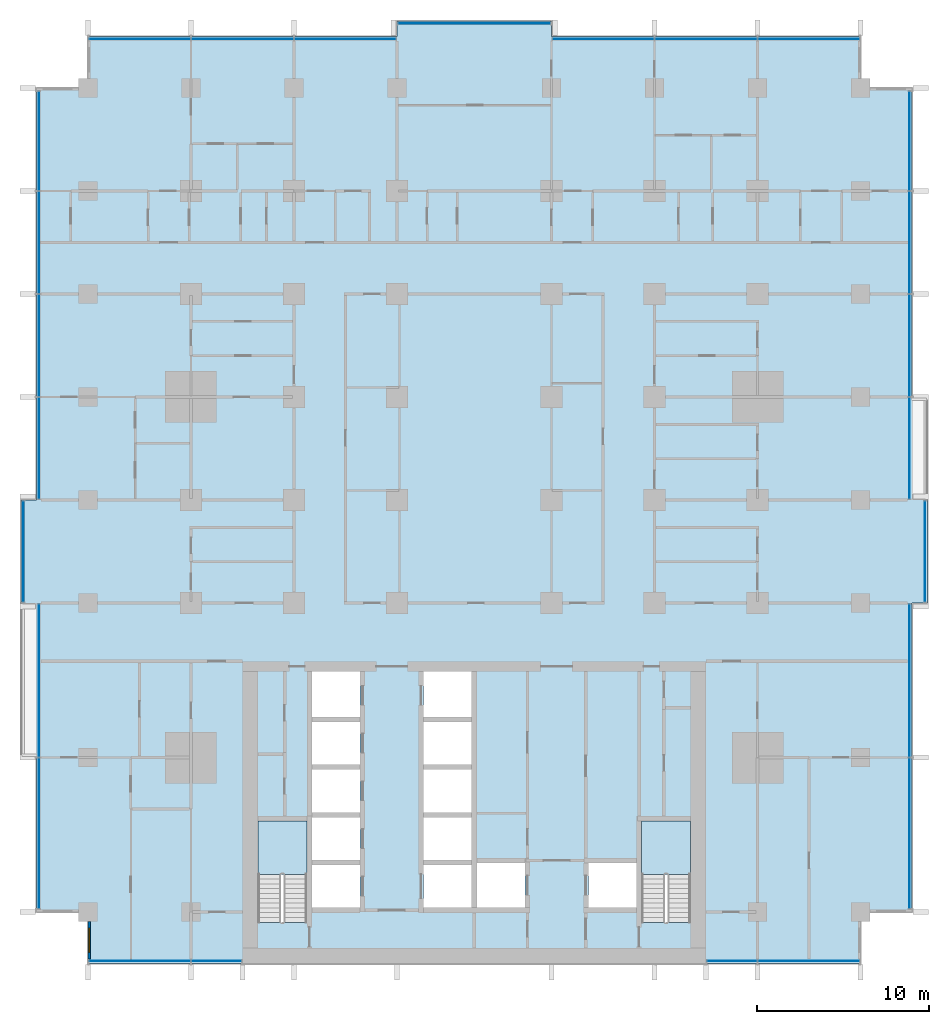
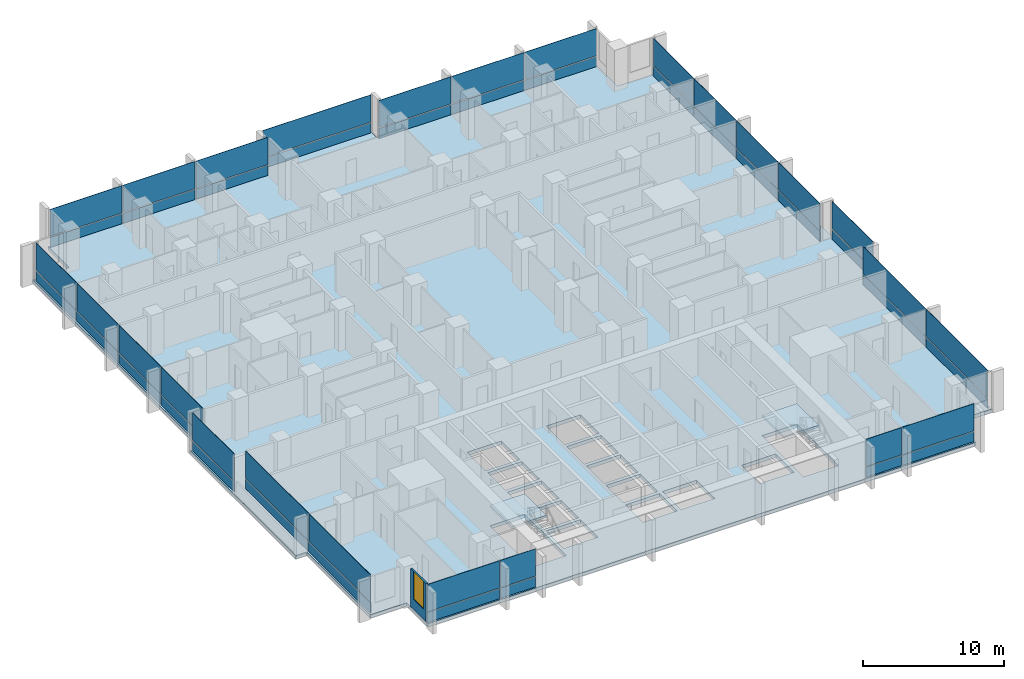
# One storey, part 6 of 18: 50 plates, 3 slabs, 1 wall, 1 window, 1 opening, 13 elements without a shape of their own.
"""IFC4 building model written with IfcOpenShell, lengths in metres."""

from ifc_helpers import new_model, si_unit, direction, frame, frame_2d, origin, origin_2d, place, context, subcontext, project, spatial, polyline, rectangle, outline, extrude, material, layer, layer_set, type_object, element, fill, aggregate, save


model = new_model("IFC4")

# Units and contexts
model_context = context("Model", 3, precision=1e-05, world=origin(), true_north=direction((0.0, 1.0)))
body_context = subcontext(model_context, "Body", "Model", "MODEL_VIEW")
ifc_project = project(units=[si_unit("LENGTHUNIT", "METRE"), si_unit("AREAUNIT", "SQUARE_METRE"), si_unit("VOLUMEUNIT", "CUBIC_METRE"), si_unit("PLANEANGLEUNIT", "RADIAN"), si_unit("MASSUNIT", "GRAM", prefix="KILO")], contexts=[model_context])

# Site, building, storey
site_placement = place(None, origin())
site = spatial("IfcSite", under=ifc_project, at=site_placement, CompositionType="ELEMENT")
building_placement = place(site_placement, origin())
building = spatial("IfcBuilding", under=site, at=building_placement, Name="Finial Court Residences", CompositionType="ELEMENT")
storey_placement = place(building_placement, frame((0.0, 0.0, 43.300048828125)))
storey = spatial("IfcBuildingStorey", under=building, at=storey_placement, Name="L09", CompositionType="ELEMENT", Elevation=43.300048828125)

# Curtain wall, plates
ifc_material_1 = material(Name="Bronze anodised aluminium", Category="aluminium")
curtain_wall_type = type_object("IfcCurtainWallType", Name="Unitised curtain wall, lower and middle zones", PredefinedType="NOTDEFINED", material=ifc_material_1)
curtain_wall_1_placement = place(storey_placement, origin())
curtain_wall_1 = element("IfcCurtainWall", 1, at=curtain_wall_1_placement, inside=storey, type_object=curtain_wall_type, Name="E-L09-CW-N1", PredefinedType="NOTDEFINED")
ifc_layer_1 = layer(ifc_material_1, 0.0400390625)
ifc_layer_set_1 = layer_set([ifc_layer_1], Name="CW1 spandrel panel 40")
plate_type_1 = type_object("IfcPlateType", Name="CW1 spandrel panel 40", PredefinedType="CURTAIN_PANEL", material=ifc_layer_set_1)
plate_1_placement = place(storey_placement, frame((-19.48388671875, 28.35009765625, 0.0), z_axis=(0.0, 0.0, 1.0), x_axis=(1.0, 0.0, 0.0)))
plate_1 = element("IfcPlate", 2, at=plate_1_placement, type_object=plate_type_1, Name="CW1 spandrel 1.1", PredefinedType="CURTAIN_PANEL", context=body_context, shape_type="SweptSolid", body=[
    extrude(rectangle(XDim=5.902587890625, YDim=0.0400390625, at=origin_2d()), origin(), (0.0, 0.0, 1.0), 0.867431640625),
])
plate_2_placement = place(storey_placement, frame((-13.5, 28.35009765625, 0.0), z_axis=(0.0, 0.0, 1.0), x_axis=(1.0, 0.0, 0.0)))
plate_2 = element("IfcPlate", 3, at=plate_2_placement, type_object=plate_type_1, Name="CW1 spandrel 2.1", PredefinedType="CURTAIN_PANEL", context=body_context, shape_type="SweptSolid", body=[
    extrude(rectangle(XDim=5.93505859375, YDim=0.0400390625, at=origin_2d()), origin(), (0.0, 0.0, 1.0), 0.867431640625),
])
plate_3_placement = place(storey_placement, frame((-7.51611328125, 28.35009765625, 0.0), z_axis=(0.0, 0.0, 1.0), x_axis=(1.0, 0.0, 0.0)))
plate_3 = element("IfcPlate", 4, at=plate_3_placement, type_object=plate_type_1, Name="CW1 spandrel 3.1", PredefinedType="CURTAIN_PANEL", context=body_context, shape_type="SweptSolid", body=[
    extrude(rectangle(XDim=5.902587890625, YDim=0.0400390625, at=origin_2d()), origin(), (0.0, 0.0, 1.0), 0.867431640625),
])

# Curtain wall, plate
curtain_wall_2_placement = place(storey_placement, origin())
curtain_wall_2 = element("IfcCurtainWall", 5, at=curtain_wall_2_placement, inside=storey, type_object=curtain_wall_type, Name="E-L09-CW-N2", PredefinedType="NOTDEFINED")
plate_4_placement = place(storey_placement, frame((0.0, 29.25, 0.0), z_axis=(0.0, 0.0, 1.0), x_axis=(1.0, 0.0, 0.0)))
plate_4 = element("IfcPlate", 6, at=plate_4_placement, type_object=plate_type_1, Name="CW1 spandrel 1.1", PredefinedType="CURTAIN_PANEL", context=body_context, shape_type="SweptSolid", body=[
    extrude(rectangle(XDim=8.8701171875, YDim=0.0400390625, at=origin_2d()), origin(), (0.0, 0.0, 1.0), 0.867431640625),
])

# Curtain wall, plates
curtain_wall_3_placement = place(storey_placement, origin())
curtain_wall_3 = element("IfcCurtainWall", 7, at=curtain_wall_3_placement, inside=storey, type_object=curtain_wall_type, Name="E-L09-CW-N3", PredefinedType="NOTDEFINED")
plate_5_placement = place(storey_placement, frame((7.51611328125, 28.35009765625, 0.0), z_axis=(0.0, 0.0, 1.0), x_axis=(1.0, 0.0, 0.0)))
plate_5 = element("IfcPlate", 8, at=plate_5_placement, type_object=plate_type_1, Name="CW1 spandrel 1.1", PredefinedType="CURTAIN_PANEL", context=body_context, shape_type="SweptSolid", body=[
    extrude(rectangle(XDim=5.902587890625, YDim=0.0400390625, at=origin_2d()), origin(), (0.0, 0.0, 1.0), 0.867431640625),
])
plate_6_placement = place(storey_placement, frame((13.5, 28.35009765625, 0.0), z_axis=(0.0, 0.0, 1.0), x_axis=(1.0, 0.0, 0.0)))
plate_6 = element("IfcPlate", 9, at=plate_6_placement, type_object=plate_type_1, Name="CW1 spandrel 2.1", PredefinedType="CURTAIN_PANEL", context=body_context, shape_type="SweptSolid", body=[
    extrude(rectangle(XDim=5.93505859375, YDim=0.0400390625, at=origin_2d()), origin(), (0.0, 0.0, 1.0), 0.867431640625),
])
plate_7_placement = place(storey_placement, frame((19.48388671875, 28.35009765625, 0.0), z_axis=(0.0, 0.0, 1.0), x_axis=(1.0, 0.0, 0.0)))
plate_7 = element("IfcPlate", 10, at=plate_7_placement, type_object=plate_type_1, Name="CW1 spandrel 3.1", PredefinedType="CURTAIN_PANEL", context=body_context, shape_type="SweptSolid", body=[
    extrude(rectangle(XDim=5.902587890625, YDim=0.0400390625, at=origin_2d()), origin(), (0.0, 0.0, 1.0), 0.867431640625),
])

curtain_wall_4_placement = place(storey_placement, origin())
curtain_wall_4 = element("IfcCurtainWall", 11, at=curtain_wall_4_placement, inside=storey, type_object=curtain_wall_type, Name="E-L09-CW-E4", PredefinedType="NOTDEFINED")
plate_8_placement = place(storey_placement, frame((25.35009765625, -17.90869140625, 0.0), z_axis=(0.0, 0.0, 1.0), x_axis=(0.0, 1.0, 0.0)))
plate_8 = element("IfcPlate", 12, at=plate_8_placement, type_object=plate_type_1, Name="CW1 spandrel 1.1", PredefinedType="CURTAIN_PANEL", context=body_context, shape_type="SweptSolid", body=[
    extrude(rectangle(XDim=8.75244140625, YDim=0.0400390625, at=origin_2d()), origin(), (0.0, 0.0, 1.0), 0.867431640625),
])
plate_9_placement = place(storey_placement, frame((25.35009765625, -9.01611328125, 0.0), z_axis=(0.0, 0.0, 1.0), x_axis=(0.0, 1.0, 0.0)))
plate_9 = element("IfcPlate", 13, at=plate_9_placement, type_object=plate_type_1, Name="CW1 spandrel 2.1", PredefinedType="CURTAIN_PANEL", context=body_context, shape_type="SweptSolid", body=[
    extrude(rectangle(XDim=8.902587890625, YDim=0.0400390625, at=origin_2d()), origin(), (0.0, 0.0, 1.0), 0.867431640625),
])

# Curtain wall, plate
curtain_wall_5_placement = place(storey_placement, origin())
curtain_wall_5 = element("IfcCurtainWall", 14, at=curtain_wall_5_placement, inside=storey, type_object=curtain_wall_type, Name="E-L09-CW-E5", PredefinedType="NOTDEFINED")
plate_10_placement = place(storey_placement, frame((26.25, -1.5, 0.0), z_axis=(0.0, 0.0, 1.0), x_axis=(0.0, 1.0, 0.0)))
plate_10 = element("IfcPlate", 15, at=plate_10_placement, type_object=plate_type_1, Name="CW1 spandrel 1.1", PredefinedType="CURTAIN_PANEL", context=body_context, shape_type="SweptSolid", body=[
    extrude(rectangle(XDim=5.8701171875, YDim=0.0400390625, at=origin_2d()), origin(), (0.0, 0.0, 1.0), 0.867431640625),
])

# Curtain wall, plates
curtain_wall_6_placement = place(storey_placement, origin())
curtain_wall_6 = element("IfcCurtainWall", 16, at=curtain_wall_6_placement, inside=storey, type_object=curtain_wall_type, Name="E-L09-CW-E6", PredefinedType="NOTDEFINED")
plate_11_placement = place(storey_placement, frame((25.35009765625, 4.516357421875, 0.0), z_axis=(0.0, 0.0, 1.0), x_axis=(0.0, 1.0, 0.0)))
plate_11 = element("IfcPlate", 17, at=plate_11_placement, type_object=plate_type_1, Name="CW1 spandrel 1.1", PredefinedType="CURTAIN_PANEL", context=body_context, shape_type="SweptSolid", body=[
    extrude(rectangle(XDim=5.902587890625, YDim=0.0400390625, at=origin_2d()), origin(), (0.0, 0.0, 1.0), 0.867431640625),
])
plate_12_placement = place(storey_placement, frame((25.35009765625, 10.5, 0.0), z_axis=(0.0, 0.0, 1.0), x_axis=(0.0, 1.0, 0.0)))
plate_12 = element("IfcPlate", 18, at=plate_12_placement, type_object=plate_type_1, Name="CW1 spandrel 2.1", PredefinedType="CURTAIN_PANEL", context=body_context, shape_type="SweptSolid", body=[
    extrude(rectangle(XDim=5.93505859375, YDim=0.0400390625, at=origin_2d()), origin(), (0.0, 0.0, 1.0), 0.867431640625),
])
plate_13_placement = place(storey_placement, frame((25.35009765625, 16.5, 0.0), z_axis=(0.0, 0.0, 1.0), x_axis=(0.0, 1.0, 0.0)))
plate_13 = element("IfcPlate", 19, at=plate_13_placement, type_object=plate_type_1, Name="CW1 spandrel 3.1", PredefinedType="CURTAIN_PANEL", context=body_context, shape_type="SweptSolid", body=[
    extrude(rectangle(XDim=5.93505859375, YDim=0.0400390625, at=origin_2d()), origin(), (0.0, 0.0, 1.0), 0.867431640625),
])
plate_14_placement = place(storey_placement, frame((25.35009765625, 22.40869140625, 0.0), z_axis=(0.0, 0.0, 1.0), x_axis=(0.0, 1.0, 0.0)))
plate_14 = element("IfcPlate", 20, at=plate_14_placement, type_object=plate_type_1, Name="CW1 spandrel 4.1", PredefinedType="CURTAIN_PANEL", context=body_context, shape_type="SweptSolid", body=[
    extrude(rectangle(XDim=5.75244140625, YDim=0.0400390625, at=origin_2d()), origin(), (0.0, 0.0, 1.0), 0.867431640625),
])

curtain_wall_7_placement = place(storey_placement, origin())
curtain_wall_7 = element("IfcCurtainWall", 21, at=curtain_wall_7_placement, inside=storey, type_object=curtain_wall_type, Name="E-L09-CW-S7", PredefinedType="NOTDEFINED")
plate_15_placement = place(storey_placement, frame((-19.48388671875, -25.35009765625, 0.0), z_axis=(0.0, 0.0, 1.0), x_axis=(1.0, 0.0, 0.0)))
plate_15 = element("IfcPlate", 22, at=plate_15_placement, type_object=plate_type_1, Name="CW1 spandrel 1.1", PredefinedType="CURTAIN_PANEL", context=body_context, shape_type="SweptSolid", body=[
    extrude(rectangle(XDim=5.902587890625, YDim=0.0400390625, at=origin_2d()), origin(), (0.0, 0.0, 1.0), 0.867431640625),
])
plate_16_placement = place(storey_placement, frame((-15.016357421875, -25.35009765625, 0.0), z_axis=(0.0, 0.0, 1.0), x_axis=(1.0, 0.0, 0.0)))
plate_16 = element("IfcPlate", 23, at=plate_16_placement, type_object=plate_type_1, Name="CW1 spandrel 2.1", PredefinedType="CURTAIN_PANEL", context=body_context, shape_type="SweptSolid", body=[
    extrude(rectangle(XDim=2.902587890625, YDim=0.0400390625, at=origin_2d()), origin(), (0.0, 0.0, 1.0), 0.867431640625),
])

curtain_wall_8_placement = place(storey_placement, origin())
curtain_wall_8 = element("IfcCurtainWall", 24, at=curtain_wall_8_placement, inside=storey, type_object=curtain_wall_type, Name="E-L09-CW-S8", PredefinedType="NOTDEFINED")
plate_17_placement = place(storey_placement, frame((15.016357421875, -25.35009765625, 0.0), z_axis=(0.0, 0.0, 1.0), x_axis=(1.0, 0.0, 0.0)))
plate_17 = element("IfcPlate", 25, at=plate_17_placement, type_object=plate_type_1, Name="CW1 spandrel 1.1", PredefinedType="CURTAIN_PANEL", context=body_context, shape_type="SweptSolid", body=[
    extrude(rectangle(XDim=2.902587890625, YDim=0.0400390625, at=origin_2d()), origin(), (0.0, 0.0, 1.0), 0.867431640625),
])
plate_18_placement = place(storey_placement, frame((19.48388671875, -25.35009765625, 0.0), z_axis=(0.0, 0.0, 1.0), x_axis=(1.0, 0.0, 0.0)))
plate_18 = element("IfcPlate", 26, at=plate_18_placement, type_object=plate_type_1, Name="CW1 spandrel 2.1", PredefinedType="CURTAIN_PANEL", context=body_context, shape_type="SweptSolid", body=[
    extrude(rectangle(XDim=5.902587890625, YDim=0.0400390625, at=origin_2d()), origin(), (0.0, 0.0, 1.0), 0.867431640625),
])

curtain_wall_9_placement = place(storey_placement, origin())
curtain_wall_9 = element("IfcCurtainWall", 27, at=curtain_wall_9_placement, inside=storey, type_object=curtain_wall_type, Name="E-L09-CW-W9", PredefinedType="NOTDEFINED")
plate_19_placement = place(storey_placement, frame((-25.35009765625, -17.90869140625, 0.0), z_axis=(0.0, 0.0, 1.0), x_axis=(0.0, 1.0, 0.0)))
plate_19 = element("IfcPlate", 28, at=plate_19_placement, type_object=plate_type_1, Name="CW1 spandrel 1.1", PredefinedType="CURTAIN_PANEL", context=body_context, shape_type="SweptSolid", body=[
    extrude(rectangle(XDim=8.75244140625, YDim=0.0400390625, at=origin_2d()), origin(), (0.0, 0.0, 1.0), 0.867431640625),
])
plate_20_placement = place(storey_placement, frame((-25.35009765625, -9.01611328125, 0.0), z_axis=(0.0, 0.0, 1.0), x_axis=(0.0, 1.0, 0.0)))
plate_20 = element("IfcPlate", 29, at=plate_20_placement, type_object=plate_type_1, Name="CW1 spandrel 2.1", PredefinedType="CURTAIN_PANEL", context=body_context, shape_type="SweptSolid", body=[
    extrude(rectangle(XDim=8.902587890625, YDim=0.0400390625, at=origin_2d()), origin(), (0.0, 0.0, 1.0), 0.867431640625),
])

# Curtain wall, plate
curtain_wall_10_placement = place(storey_placement, origin())
curtain_wall_10 = element("IfcCurtainWall", 30, at=curtain_wall_10_placement, inside=storey, type_object=curtain_wall_type, Name="E-L09-CW-W10", PredefinedType="NOTDEFINED")
plate_21_placement = place(storey_placement, frame((-26.25, -1.5, 0.0), z_axis=(0.0, 0.0, 1.0), x_axis=(0.0, 1.0, 0.0)))
plate_21 = element("IfcPlate", 31, at=plate_21_placement, type_object=plate_type_1, Name="CW1 spandrel 1.1", PredefinedType="CURTAIN_PANEL", context=body_context, shape_type="SweptSolid", body=[
    extrude(rectangle(XDim=5.8701171875, YDim=0.0400390625, at=origin_2d()), origin(), (0.0, 0.0, 1.0), 0.867431640625),
])

# Curtain wall, plates
curtain_wall_11_placement = place(storey_placement, origin())
curtain_wall_11 = element("IfcCurtainWall", 32, at=curtain_wall_11_placement, inside=storey, type_object=curtain_wall_type, Name="E-L09-CW-W11", PredefinedType="NOTDEFINED")
plate_22_placement = place(storey_placement, frame((-25.35009765625, 4.516357421875, 0.0), z_axis=(0.0, 0.0, 1.0), x_axis=(0.0, 1.0, 0.0)))
plate_22 = element("IfcPlate", 33, at=plate_22_placement, type_object=plate_type_1, Name="CW1 spandrel 1.1", PredefinedType="CURTAIN_PANEL", context=body_context, shape_type="SweptSolid", body=[
    extrude(rectangle(XDim=5.902587890625, YDim=0.0400390625, at=origin_2d()), origin(), (0.0, 0.0, 1.0), 0.867431640625),
])
plate_23_placement = place(storey_placement, frame((-25.35009765625, 10.5, 0.0), z_axis=(0.0, 0.0, 1.0), x_axis=(0.0, 1.0, 0.0)))
plate_23 = element("IfcPlate", 34, at=plate_23_placement, type_object=plate_type_1, Name="CW1 spandrel 2.1", PredefinedType="CURTAIN_PANEL", context=body_context, shape_type="SweptSolid", body=[
    extrude(rectangle(XDim=5.93505859375, YDim=0.0400390625, at=origin_2d()), origin(), (0.0, 0.0, 1.0), 0.867431640625),
])
plate_24_placement = place(storey_placement, frame((-25.35009765625, 16.5, 0.0), z_axis=(0.0, 0.0, 1.0), x_axis=(0.0, 1.0, 0.0)))
plate_24 = element("IfcPlate", 35, at=plate_24_placement, type_object=plate_type_1, Name="CW1 spandrel 3.1", PredefinedType="CURTAIN_PANEL", context=body_context, shape_type="SweptSolid", body=[
    extrude(rectangle(XDim=5.93505859375, YDim=0.0400390625, at=origin_2d()), origin(), (0.0, 0.0, 1.0), 0.867431640625),
])
plate_25_placement = place(storey_placement, frame((-25.35009765625, 22.40869140625, 0.0), z_axis=(0.0, 0.0, 1.0), x_axis=(0.0, 1.0, 0.0)))
plate_25 = element("IfcPlate", 36, at=plate_25_placement, type_object=plate_type_1, Name="CW1 spandrel 4.1", PredefinedType="CURTAIN_PANEL", context=body_context, shape_type="SweptSolid", body=[
    extrude(rectangle(XDim=5.75244140625, YDim=0.0400390625, at=origin_2d()), origin(), (0.0, 0.0, 1.0), 0.867431640625),
])

# Plate
ifc_material_2 = material(Name="Clear low-e glass", Category="glass")
ifc_layer_2 = layer(ifc_material_2, 0.031982421875)
ifc_layer_set_2 = layer_set([ifc_layer_2], Name="CW1 vision glass 32")
plate_type_2 = type_object("IfcPlateType", Name="CW1 vision glass 32", PredefinedType="CURTAIN_PANEL", material=ifc_layer_set_2)
plate_26_placement = place(storey_placement, frame((-19.48388671875, 28.35009765625, 0.9326171875), z_axis=(0.0, 0.0, 1.0), x_axis=(1.0, 0.0, 0.0)))
plate_26 = element("IfcPlate", 37, at=plate_26_placement, type_object=plate_type_2, Name="CW1 glass 1.2", PredefinedType="CURTAIN_PANEL", context=body_context, shape_type="SweptSolid", body=[
    extrude(rectangle(XDim=5.902587890625, YDim=0.031982421875, at=origin_2d()), origin(), (0.0, 0.0, 1.0), 2.367431640625),
])

plate_27_placement = place(storey_placement, frame((-13.5, 28.35009765625, 0.9326171875), z_axis=(0.0, 0.0, 1.0), x_axis=(1.0, 0.0, 0.0)))
plate_27 = element("IfcPlate", 38, at=plate_27_placement, type_object=plate_type_2, Name="CW1 glass 2.2", PredefinedType="CURTAIN_PANEL", context=body_context, shape_type="SweptSolid", body=[
    extrude(rectangle(XDim=5.93505859375, YDim=0.031982421875, at=origin_2d()), origin(), (0.0, 0.0, 1.0), 2.367431640625),
])

plate_28_placement = place(storey_placement, frame((-7.51611328125, 28.35009765625, 0.9326171875), z_axis=(0.0, 0.0, 1.0), x_axis=(1.0, 0.0, 0.0)))
plate_28 = element("IfcPlate", 39, at=plate_28_placement, type_object=plate_type_2, Name="CW1 glass 3.2", PredefinedType="CURTAIN_PANEL", context=body_context, shape_type="SweptSolid", body=[
    extrude(rectangle(XDim=5.902587890625, YDim=0.031982421875, at=origin_2d()), origin(), (0.0, 0.0, 1.0), 2.367431640625),
])

aggregate(curtain_wall_1, [plate_1, plate_26, plate_2, plate_27, plate_3, plate_28])

plate_29_placement = place(storey_placement, frame((0.0, 29.25, 0.9326171875), z_axis=(0.0, 0.0, 1.0), x_axis=(1.0, 0.0, 0.0)))
plate_29 = element("IfcPlate", 40, at=plate_29_placement, type_object=plate_type_2, Name="CW1 glass 1.2", PredefinedType="CURTAIN_PANEL", context=body_context, shape_type="SweptSolid", body=[
    extrude(rectangle(XDim=8.8701171875, YDim=0.031982421875, at=origin_2d()), origin(), (0.0, 0.0, 1.0), 2.367431640625),
])

aggregate(curtain_wall_2, [plate_4, plate_29])

plate_30_placement = place(storey_placement, frame((7.51611328125, 28.35009765625, 0.9326171875), z_axis=(0.0, 0.0, 1.0), x_axis=(1.0, 0.0, 0.0)))
plate_30 = element("IfcPlate", 41, at=plate_30_placement, type_object=plate_type_2, Name="CW1 glass 1.2", PredefinedType="CURTAIN_PANEL", context=body_context, shape_type="SweptSolid", body=[
    extrude(rectangle(XDim=5.902587890625, YDim=0.031982421875, at=origin_2d()), origin(), (0.0, 0.0, 1.0), 2.367431640625),
])

plate_31_placement = place(storey_placement, frame((13.5, 28.35009765625, 0.9326171875), z_axis=(0.0, 0.0, 1.0), x_axis=(1.0, 0.0, 0.0)))
plate_31 = element("IfcPlate", 42, at=plate_31_placement, type_object=plate_type_2, Name="CW1 glass 2.2", PredefinedType="CURTAIN_PANEL", context=body_context, shape_type="SweptSolid", body=[
    extrude(rectangle(XDim=5.93505859375, YDim=0.031982421875, at=origin_2d()), origin(), (0.0, 0.0, 1.0), 2.367431640625),
])

plate_32_placement = place(storey_placement, frame((19.48388671875, 28.35009765625, 0.9326171875), z_axis=(0.0, 0.0, 1.0), x_axis=(1.0, 0.0, 0.0)))
plate_32 = element("IfcPlate", 43, at=plate_32_placement, type_object=plate_type_2, Name="CW1 glass 3.2", PredefinedType="CURTAIN_PANEL", context=body_context, shape_type="SweptSolid", body=[
    extrude(rectangle(XDim=5.902587890625, YDim=0.031982421875, at=origin_2d()), origin(), (0.0, 0.0, 1.0), 2.367431640625),
])

aggregate(curtain_wall_3, [plate_5, plate_30, plate_6, plate_31, plate_7, plate_32])

plate_33_placement = place(storey_placement, frame((25.35009765625, -17.90869140625, 0.9326171875), z_axis=(0.0, 0.0, 1.0), x_axis=(0.0, 1.0, 0.0)))
plate_33 = element("IfcPlate", 44, at=plate_33_placement, type_object=plate_type_2, Name="CW1 glass 1.2", PredefinedType="CURTAIN_PANEL", context=body_context, shape_type="SweptSolid", body=[
    extrude(rectangle(XDim=8.75244140625, YDim=0.031982421875, at=origin_2d()), origin(), (0.0, 0.0, 1.0), 2.367431640625),
])

plate_34_placement = place(storey_placement, frame((25.35009765625, -9.01611328125, 0.9326171875), z_axis=(0.0, 0.0, 1.0), x_axis=(0.0, 1.0, 0.0)))
plate_34 = element("IfcPlate", 45, at=plate_34_placement, type_object=plate_type_2, Name="CW1 glass 2.2", PredefinedType="CURTAIN_PANEL", context=body_context, shape_type="SweptSolid", body=[
    extrude(rectangle(XDim=8.902587890625, YDim=0.031982421875, at=origin_2d()), origin(), (0.0, 0.0, 1.0), 2.367431640625),
])

aggregate(curtain_wall_4, [plate_8, plate_33, plate_9, plate_34])

plate_35_placement = place(storey_placement, frame((26.25, -1.5, 0.9326171875), z_axis=(0.0, 0.0, 1.0), x_axis=(0.0, 1.0, 0.0)))
plate_35 = element("IfcPlate", 46, at=plate_35_placement, type_object=plate_type_2, Name="CW1 glass 1.2", PredefinedType="CURTAIN_PANEL", context=body_context, shape_type="SweptSolid", body=[
    extrude(rectangle(XDim=5.8701171875, YDim=0.031982421875, at=origin_2d()), origin(), (0.0, 0.0, 1.0), 2.367431640625),
])

aggregate(curtain_wall_5, [plate_10, plate_35])

plate_36_placement = place(storey_placement, frame((25.35009765625, 4.516357421875, 0.9326171875), z_axis=(0.0, 0.0, 1.0), x_axis=(0.0, 1.0, 0.0)))
plate_36 = element("IfcPlate", 47, at=plate_36_placement, type_object=plate_type_2, Name="CW1 glass 1.2", PredefinedType="CURTAIN_PANEL", context=body_context, shape_type="SweptSolid", body=[
    extrude(rectangle(XDim=5.902587890625, YDim=0.031982421875, at=origin_2d()), origin(), (0.0, 0.0, 1.0), 2.367431640625),
])

plate_37_placement = place(storey_placement, frame((25.35009765625, 10.5, 0.9326171875), z_axis=(0.0, 0.0, 1.0), x_axis=(0.0, 1.0, 0.0)))
plate_37 = element("IfcPlate", 48, at=plate_37_placement, type_object=plate_type_2, Name="CW1 glass 2.2", PredefinedType="CURTAIN_PANEL", context=body_context, shape_type="SweptSolid", body=[
    extrude(rectangle(XDim=5.93505859375, YDim=0.031982421875, at=origin_2d()), origin(), (0.0, 0.0, 1.0), 2.367431640625),
])

plate_38_placement = place(storey_placement, frame((25.35009765625, 16.5, 0.9326171875), z_axis=(0.0, 0.0, 1.0), x_axis=(0.0, 1.0, 0.0)))
plate_38 = element("IfcPlate", 49, at=plate_38_placement, type_object=plate_type_2, Name="CW1 glass 3.2", PredefinedType="CURTAIN_PANEL", context=body_context, shape_type="SweptSolid", body=[
    extrude(rectangle(XDim=5.93505859375, YDim=0.031982421875, at=origin_2d()), origin(), (0.0, 0.0, 1.0), 2.367431640625),
])

plate_39_placement = place(storey_placement, frame((25.35009765625, 22.40869140625, 0.9326171875), z_axis=(0.0, 0.0, 1.0), x_axis=(0.0, 1.0, 0.0)))
plate_39 = element("IfcPlate", 50, at=plate_39_placement, type_object=plate_type_2, Name="CW1 glass 4.2", PredefinedType="CURTAIN_PANEL", context=body_context, shape_type="SweptSolid", body=[
    extrude(rectangle(XDim=5.75244140625, YDim=0.031982421875, at=origin_2d()), origin(), (0.0, 0.0, 1.0), 2.367431640625),
])

aggregate(curtain_wall_6, [plate_11, plate_36, plate_12, plate_37, plate_13, plate_38, plate_14, plate_39])

plate_40_placement = place(storey_placement, frame((-19.48388671875, -25.35009765625, 0.9326171875), z_axis=(0.0, 0.0, 1.0), x_axis=(1.0, 0.0, 0.0)))
plate_40 = element("IfcPlate", 51, at=plate_40_placement, type_object=plate_type_2, Name="CW1 glass 1.2", PredefinedType="CURTAIN_PANEL", context=body_context, shape_type="SweptSolid", body=[
    extrude(rectangle(XDim=5.902587890625, YDim=0.031982421875, at=origin_2d()), origin(), (0.0, 0.0, 1.0), 2.367431640625),
])

plate_41_placement = place(storey_placement, frame((-15.016357421875, -25.35009765625, 0.9326171875), z_axis=(0.0, 0.0, 1.0), x_axis=(1.0, 0.0, 0.0)))
plate_41 = element("IfcPlate", 52, at=plate_41_placement, type_object=plate_type_2, Name="CW1 glass 2.2", PredefinedType="CURTAIN_PANEL", context=body_context, shape_type="SweptSolid", body=[
    extrude(rectangle(XDim=2.902587890625, YDim=0.031982421875, at=origin_2d()), origin(), (0.0, 0.0, 1.0), 2.367431640625),
])

aggregate(curtain_wall_7, [plate_15, plate_40, plate_16, plate_41])

plate_42_placement = place(storey_placement, frame((15.016357421875, -25.35009765625, 0.9326171875), z_axis=(0.0, 0.0, 1.0), x_axis=(1.0, 0.0, 0.0)))
plate_42 = element("IfcPlate", 53, at=plate_42_placement, type_object=plate_type_2, Name="CW1 glass 1.2", PredefinedType="CURTAIN_PANEL", context=body_context, shape_type="SweptSolid", body=[
    extrude(rectangle(XDim=2.902587890625, YDim=0.031982421875, at=origin_2d()), origin(), (0.0, 0.0, 1.0), 2.367431640625),
])

plate_43_placement = place(storey_placement, frame((19.48388671875, -25.35009765625, 0.9326171875), z_axis=(0.0, 0.0, 1.0), x_axis=(1.0, 0.0, 0.0)))
plate_43 = element("IfcPlate", 54, at=plate_43_placement, type_object=plate_type_2, Name="CW1 glass 2.2", PredefinedType="CURTAIN_PANEL", context=body_context, shape_type="SweptSolid", body=[
    extrude(rectangle(XDim=5.902587890625, YDim=0.031982421875, at=origin_2d()), origin(), (0.0, 0.0, 1.0), 2.367431640625),
])

aggregate(curtain_wall_8, [plate_17, plate_42, plate_18, plate_43])

plate_44_placement = place(storey_placement, frame((-25.35009765625, -17.90869140625, 0.9326171875), z_axis=(0.0, 0.0, 1.0), x_axis=(0.0, 1.0, 0.0)))
plate_44 = element("IfcPlate", 55, at=plate_44_placement, type_object=plate_type_2, Name="CW1 glass 1.2", PredefinedType="CURTAIN_PANEL", context=body_context, shape_type="SweptSolid", body=[
    extrude(rectangle(XDim=8.75244140625, YDim=0.031982421875, at=origin_2d()), origin(), (0.0, 0.0, 1.0), 2.367431640625),
])

plate_45_placement = place(storey_placement, frame((-25.35009765625, -9.01611328125, 0.9326171875), z_axis=(0.0, 0.0, 1.0), x_axis=(0.0, 1.0, 0.0)))
plate_45 = element("IfcPlate", 56, at=plate_45_placement, type_object=plate_type_2, Name="CW1 glass 2.2", PredefinedType="CURTAIN_PANEL", context=body_context, shape_type="SweptSolid", body=[
    extrude(rectangle(XDim=8.902587890625, YDim=0.031982421875, at=origin_2d()), origin(), (0.0, 0.0, 1.0), 2.367431640625),
])

aggregate(curtain_wall_9, [plate_19, plate_44, plate_20, plate_45])

plate_46_placement = place(storey_placement, frame((-26.25, -1.5, 0.9326171875), z_axis=(0.0, 0.0, 1.0), x_axis=(0.0, 1.0, 0.0)))
plate_46 = element("IfcPlate", 57, at=plate_46_placement, type_object=plate_type_2, Name="CW1 glass 1.2", PredefinedType="CURTAIN_PANEL", context=body_context, shape_type="SweptSolid", body=[
    extrude(rectangle(XDim=5.8701171875, YDim=0.031982421875, at=origin_2d()), origin(), (0.0, 0.0, 1.0), 2.367431640625),
])

aggregate(curtain_wall_10, [plate_21, plate_46])

plate_47_placement = place(storey_placement, frame((-25.35009765625, 4.516357421875, 0.9326171875), z_axis=(0.0, 0.0, 1.0), x_axis=(0.0, 1.0, 0.0)))
plate_47 = element("IfcPlate", 58, at=plate_47_placement, type_object=plate_type_2, Name="CW1 glass 1.2", PredefinedType="CURTAIN_PANEL", context=body_context, shape_type="SweptSolid", body=[
    extrude(rectangle(XDim=5.902587890625, YDim=0.031982421875, at=origin_2d()), origin(), (0.0, 0.0, 1.0), 2.367431640625),
])

plate_48_placement = place(storey_placement, frame((-25.35009765625, 10.5, 0.9326171875), z_axis=(0.0, 0.0, 1.0), x_axis=(0.0, 1.0, 0.0)))
plate_48 = element("IfcPlate", 59, at=plate_48_placement, type_object=plate_type_2, Name="CW1 glass 2.2", PredefinedType="CURTAIN_PANEL", context=body_context, shape_type="SweptSolid", body=[
    extrude(rectangle(XDim=5.93505859375, YDim=0.031982421875, at=origin_2d()), origin(), (0.0, 0.0, 1.0), 2.367431640625),
])

plate_49_placement = place(storey_placement, frame((-25.35009765625, 16.5, 0.9326171875), z_axis=(0.0, 0.0, 1.0), x_axis=(0.0, 1.0, 0.0)))
plate_49 = element("IfcPlate", 60, at=plate_49_placement, type_object=plate_type_2, Name="CW1 glass 3.2", PredefinedType="CURTAIN_PANEL", context=body_context, shape_type="SweptSolid", body=[
    extrude(rectangle(XDim=5.93505859375, YDim=0.031982421875, at=origin_2d()), origin(), (0.0, 0.0, 1.0), 2.367431640625),
])

plate_50_placement = place(storey_placement, frame((-25.35009765625, 22.40869140625, 0.9326171875), z_axis=(0.0, 0.0, 1.0), x_axis=(0.0, 1.0, 0.0)))
plate_50 = element("IfcPlate", 61, at=plate_50_placement, type_object=plate_type_2, Name="CW1 glass 4.2", PredefinedType="CURTAIN_PANEL", context=body_context, shape_type="SweptSolid", body=[
    extrude(rectangle(XDim=5.75244140625, YDim=0.031982421875, at=origin_2d()), origin(), (0.0, 0.0, 1.0), 2.367431640625),
])

aggregate(curtain_wall_11, [plate_22, plate_47, plate_23, plate_48, plate_24, plate_49, plate_25, plate_50])

# Stair, slab
ifc_material_3 = material(Name="Concrete C50/60", Category="concrete")
stair_type = type_object("IfcStairType", Name="Exit stair 22 risers of 163.6 mm", PredefinedType="HALF_TURN_STAIR", material=ifc_material_3)
stair_1_placement = place(storey_placement, origin())
stair_1 = element("IfcStair", 62, at=stair_1_placement, inside=storey, type_object=stair_type, Name="L09 Exit stair ST-1", PredefinedType="HALF_TURN_STAIR")
ifc_layer_3 = layer(ifc_material_3, 0.199951171875)
ifc_layer_set_3 = layer_set([ifc_layer_3], Name="Exit stair landing")
slab_type_1 = type_object("IfcSlabType", Name="Exit stair landing", PredefinedType="LANDING", material=ifc_layer_set_3)
slab_1_placement = place(storey_placement, frame((0.0, 0.0, 1.599853515625)))
slab_1 = element("IfcSlab", 63, at=slab_1_placement, type_object=slab_type_1, Name="ST-1 landing 1", PredefinedType="LANDING", context=body_context, shape_type="SweptSolid", body=[
    extrude(outline(polyline([(-9.75, -20.300048828125), (-9.75, -17.199951171875), (-12.60009765625, -17.199951171875), (-12.60009765625, -20.300048828125), (-9.75, -20.300048828125)])), origin(), (0.0, 0.0, 1.0), 0.2001953125),
])
aggregate(stair_1, [slab_1])

stair_2_placement = place(storey_placement, origin())
stair_2 = element("IfcStair", 64, at=stair_2_placement, inside=storey, type_object=stair_type, Name="L09 Exit stair ST-2", PredefinedType="HALF_TURN_STAIR")
slab_2_placement = place(storey_placement, frame((0.0, 0.0, 1.599853515625)))
slab_2 = element("IfcSlab", 65, at=slab_2_placement, type_object=slab_type_1, Name="ST-2 landing 1", PredefinedType="LANDING", context=body_context, shape_type="SweptSolid", body=[
    extrude(outline(polyline([(12.60009765625, -20.300048828125), (12.60009765625, -17.199951171875), (9.75, -17.199951171875), (9.75, -20.300048828125), (12.60009765625, -20.300048828125)])), origin(), (0.0, 0.0, 1.0), 0.2001953125),
])
aggregate(stair_2, [slab_2])

# Slab
ifc_material_4 = material(Name="Concrete C40/50", Category="concrete")
ifc_layer_4 = layer(ifc_material_4, 0.300048828125)
ifc_layer_set_4 = layer_set([ifc_layer_4], Name="Flat plate slab 300 Concrete C40/50")
slab_type_2 = type_object("IfcSlabType", Name="Flat plate slab 300 Concrete C40/50", PredefinedType="FLOOR", material=ifc_layer_set_4)
slab_3_placement = place(storey_placement, frame((0.0, 0.0, -0.300048828125)))
element("IfcSlab", 66, at=slab_3_placement, inside=storey, type_object=slab_type_2, Name="S:SLAB:L09", PredefinedType="FLOOR", context=body_context, shape_type="SweptSolid", body=[
    extrude(outline(polyline([(-26.39990234375, -13.5), (-26.39990234375, -4.5), (-26.39990234375, 1.5), (-25.5, 1.5), (-25.5, 25.5), (-22.5, 25.5), (-22.5, 28.5), (-4.5, 28.5), (-4.5, 29.39990234375), (4.5, 29.39990234375), (4.5, 28.5), (22.5, 28.5), (22.5, 25.5), (25.5, 25.5), (25.5, 7.5), (26.39990234375, 7.5), (26.39990234375, 1.5), (26.39990234375, -4.5), (25.5, -4.5), (25.5, -22.5), (22.5, -22.5), (22.5, -25.5), (-22.5, -25.5), (-22.5, -22.5), (-25.5, -22.5), (-25.5, -13.5), (-26.39990234375, -13.5)]), holes=[polyline([(-6.64990234375, -19.77001953125), (-9.449951171875, -19.77001953125), (-9.449951171875, -22.25), (-6.64990234375, -22.25), (-6.64990234375, -19.77001953125)]), polyline([(-9.75, -17.199951171875), (-12.60009765625, -17.199951171875), (-12.60009765625, -23.09912109375), (-9.75, -23.09912109375), (-9.75, -17.199951171875)]), polyline([(-6.64990234375, -19.469970703125), (-6.64990234375, -16.989990234375), (-9.449951171875, -16.989990234375), (-9.449951171875, -19.469970703125), (-6.64990234375, -19.469970703125)]), polyline([(-6.64990234375, -16.68994140625), (-6.64990234375, -14.2099609375), (-9.449951171875, -14.2099609375), (-9.449951171875, -16.68994140625), (-6.64990234375, -16.68994140625)]), polyline([(-6.64990234375, -13.909912109375), (-6.64990234375, -11.429931640625), (-9.449951171875, -11.429931640625), (-9.449951171875, -13.909912109375), (-6.64990234375, -13.909912109375)]), polyline([(-6.64990234375, -11.1298828125), (-6.64990234375, -8.5), (-9.449951171875, -8.5), (-9.449951171875, -11.1298828125), (-6.64990234375, -11.1298828125)]), polyline([(-0.14990234375, -11.1298828125), (-0.14990234375, -8.5), (-2.949951171875, -8.5), (-2.949951171875, -11.1298828125), (-0.14990234375, -11.1298828125)]), polyline([(-0.14990234375, -19.77001953125), (-2.949951171875, -19.77001953125), (-2.949951171875, -22.25), (-0.14990234375, -22.25), (-0.14990234375, -19.77001953125)]), polyline([(2.949951171875, -22.25), (2.949951171875, -19.64990234375), (0.14990234375, -19.64990234375), (0.14990234375, -22.25), (2.949951171875, -22.25)]), polyline([(9.449951171875, -22.25), (9.449951171875, -19.64990234375), (6.64990234375, -19.64990234375), (6.64990234375, -22.25), (9.449951171875, -22.25)]), polyline([(12.60009765625, -17.199951171875), (9.75, -17.199951171875), (9.75, -23.09912109375), (12.60009765625, -23.09912109375), (12.60009765625, -17.199951171875)]), polyline([(-0.14990234375, -19.469970703125), (-0.14990234375, -16.989990234375), (-2.949951171875, -16.989990234375), (-2.949951171875, -19.469970703125), (-0.14990234375, -19.469970703125)]), polyline([(-0.14990234375, -16.68994140625), (-0.14990234375, -14.2099609375), (-2.949951171875, -14.2099609375), (-2.949951171875, -16.68994140625), (-0.14990234375, -16.68994140625)]), polyline([(-0.14990234375, -13.909912109375), (-0.14990234375, -11.429931640625), (-2.949951171875, -11.429931640625), (-2.949951171875, -13.909912109375), (-0.14990234375, -13.909912109375)])]), origin(), (0.0, 0.0, 1.0), 0.300048828125),
])

# Wall, opening, window
ifc_material_5 = material(Name="Natural limestone", Category="masonry")
ifc_layer_5 = layer(ifc_material_5, 0.14990234375)
ifc_layer_set_5 = layer_set([ifc_layer_5], Name="Limestone clad wall 150")
wall_type = type_object("IfcWallType", Name="Limestone clad wall 150", PredefinedType="SOLIDWALL", material=ifc_layer_set_5)
wall_placement = place(storey_placement, frame((-22.425048828125, -25.25, 0.0), z_axis=(0.0, 0.0, 1.0), x_axis=(0.0, 1.0, 0.0)))
wall = element("IfcWall", 67, at=wall_placement, inside=storey, type_object=wall_type, Name="E-L09-NWW12", PredefinedType="SOLIDWALL", context=body_context, shape_type="SweptSolid", body=[
    extrude(rectangle(XDim=2.199951171875, YDim=0.14990234375, at=frame_2d((1.10009765625, 0.0))), origin(), (0.0, 0.0, 1.0), 3.300048828125),
])
opening_placement = place(wall_placement, frame((0.39990234375, 0.0, 0.89990234375)))
opening = element("IfcOpeningElement", 68, at=opening_placement, cuts=wall, Name="Opening WE09-01", PredefinedType="OPENING", context=body_context, shape_type="SweptSolid", body=[
    extrude(rectangle(XDim=1.39990234375, YDim=2.39990234375, at=frame_2d((0.699951171875, 1.199951171875))), frame((0.0, 0.0849609375, 0.0), z_axis=(0.0, -1.0, 0.0), x_axis=(1.0, 0.0, 0.0)), (0.0, 0.0, 1.0), 0.169921875),
])
window_type = type_object("IfcWindowType", Name="Corner window 1400 x 2400", PartitioningType="SINGLE_PANEL", PredefinedType="WINDOW", material=ifc_material_2)
window_placement = place(opening_placement, origin())
window = element("IfcWindow", 69, at=window_placement, inside=storey, type_object=window_type, Name="E-L09-NWW12-W1", OverallHeight=2.39990234375, OverallWidth=1.39990234375, PartitioningType="SINGLE_PANEL", PredefinedType="WINDOW", context=body_context, shape_type="SweptSolid", body=[
    extrude(rectangle(XDim=1.39990234375, YDim=2.39990234375, at=frame_2d((0.699951171875, 1.199951171875))), frame((0.0, 0.030029296875, 0.0), z_axis=(0.0, -1.0, 0.0), x_axis=(1.0, 0.0, 0.0)), (0.0, 0.0, 1.0), 0.06005859375),
])
fill(opening, window)

save(model, "model.ifc")
